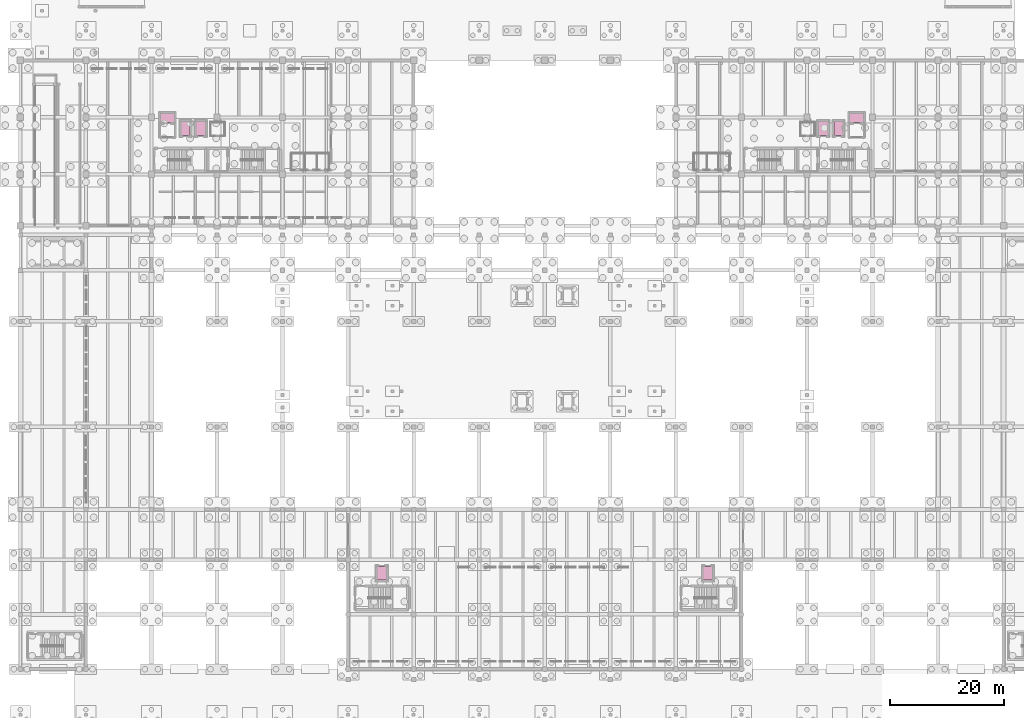
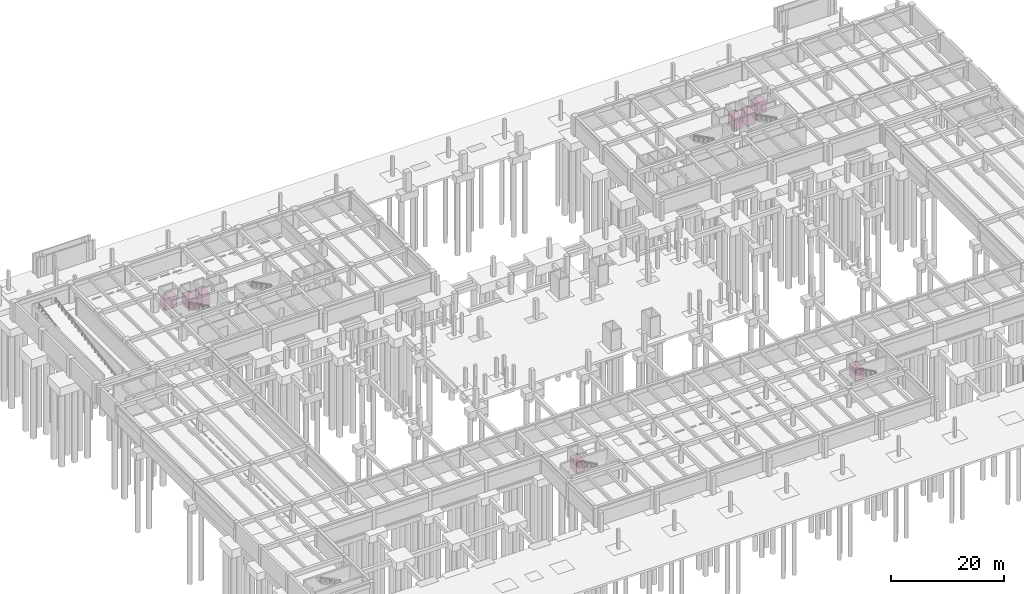
# One storey, part 28 of 28: 8 transport elements.
"""IFC4 building model written with IfcOpenShell, lengths in metres."""

from ifc_helpers import new_model, si_unit, direction, frame, origin, origin_2d, place, context, subcontext, project, spatial, rectangle, extrude, material, type_object, element, save


model = new_model("IFC4")

# Units and contexts
model_context = context("Model", 3, precision=1e-05, world=origin(), true_north=direction((0.0, 1.0)))
body_context = subcontext(model_context, "Body", "Model", "MODEL_VIEW")
ifc_project = project(units=[si_unit("LENGTHUNIT", "METRE"), si_unit("AREAUNIT", "SQUARE_METRE"), si_unit("VOLUMEUNIT", "CUBIC_METRE"), si_unit("PLANEANGLEUNIT", "RADIAN"), si_unit("MASSUNIT", "GRAM", prefix="KILO")], contexts=[model_context])

# Site, building, storey
site_placement = place(None, origin())
site = spatial("IfcSite", under=ifc_project, at=site_placement, CompositionType="ELEMENT")
building_placement = place(site_placement, origin())
building = spatial("IfcBuilding", under=site, at=building_placement, Name="Ologun Quay Terminus", CompositionType="ELEMENT")
storey_placement = place(building_placement, frame((0.0, 0.0, -8.39990234375)))
storey = spatial("IfcBuildingStorey", under=building, at=storey_placement, Name="B02", CompositionType="ELEMENT", Elevation=-8.39990234375)

# Transport elements
ifc_material_1 = material(Name="Steel S355", Category="steel")
transport_element_type_1 = type_object("IfcTransportElementType", Name="Courtyard Wing Passenger Lift 1600kg", PredefinedType="ELEVATOR", material=ifc_material_1)
for number, where, z_axis, x_axis, name in (
    (1, (29.0, 102.85009765625, 0.0), (0.0, 0.0, 1.0), (1.0, 0.0, 0.0), "Waterfront Pavilion Passenger Lift PL-W1"),
    (2, (31.64990234375, 102.85009765625, 0.0), (0.0, 0.0, 1.0), (1.0, 0.0, 0.0), "Waterfront Pavilion Passenger Lift PL-W2"),
    (3, (140.85009765625, 102.85009765625, 0.0), (0.0, 0.0, 1.0), (1.0, 0.0, 0.0), "Rail Operations Wing Passenger Lift PL-E1"),
    (4, (143.5, 102.85009765625, 0.0), (0.0, 0.0, 1.0), (1.0, 0.0, 0.0), "Rail Operations Wing Passenger Lift PL-E2"),
    (5, (63.39990234375, 24.800048828125, 0.0), (0.0, 0.0, 1.0), (1.0, 0.0, 0.0), "Concourse Pavilion Passenger Lift PL-S1"),
    (6, (120.60009765625, 24.800048828125, 0.0), (0.0, 0.0, 1.0), (1.0, 0.0, 0.0), "Concourse Pavilion Passenger Lift PL-S2"),
):
    element("IfcTransportElement", number, at=place(storey_placement, frame(where, z_axis=z_axis, x_axis=x_axis)), inside=storey, type_object=transport_element_type_1, Name=name, PredefinedType="ELEVATOR", context=body_context, shape_type="SweptSolid", body=[
        extrude(rectangle(XDim=1.60009765625, YDim=2.39990234375, at=origin_2d()), origin(), (0.0, 0.0, 1.0), 2.5),
    ])
ifc_material_2 = material(Name="Steel S355", Category="steel")
transport_element_type_2 = type_object("IfcTransportElementType", Name="Firefighting & Stretcher Lift 1600kg", PredefinedType="ELEVATOR", material=ifc_material_2)
for number, where, z_axis, x_axis, name in (
    (7, (25.800048828125, 104.699951171875, 0.0), (0.0, 0.0, 1.0), (1.0, 0.0, 0.0), "Firefighting Lift FFL-01"),
    (8, (146.699951171875, 104.699951171875, 0.0), (0.0, 0.0, 1.0), (1.0, 0.0, 0.0), "Firefighting Lift FFL-02"),
):
    element("IfcTransportElement", number, at=place(storey_placement, frame(where, z_axis=z_axis, x_axis=x_axis)), inside=storey, type_object=transport_element_type_2, Name=name, PredefinedType="ELEVATOR", context=body_context, shape_type="SweptSolid", body=[
        extrude(rectangle(XDim=2.39990234375, YDim=1.60009765625, at=origin_2d()), origin(), (0.0, 0.0, 1.0), 2.5),
    ])

save(model, "model.ifc")
